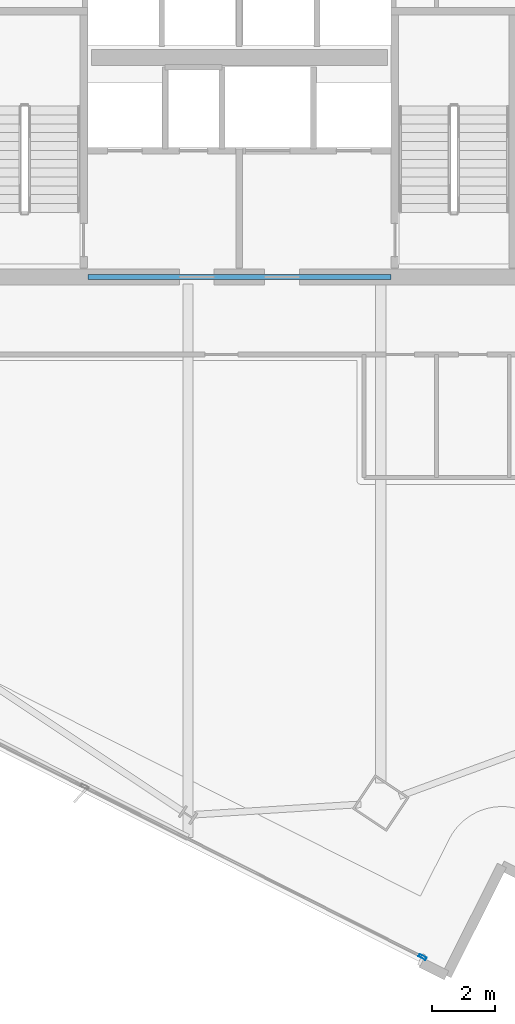
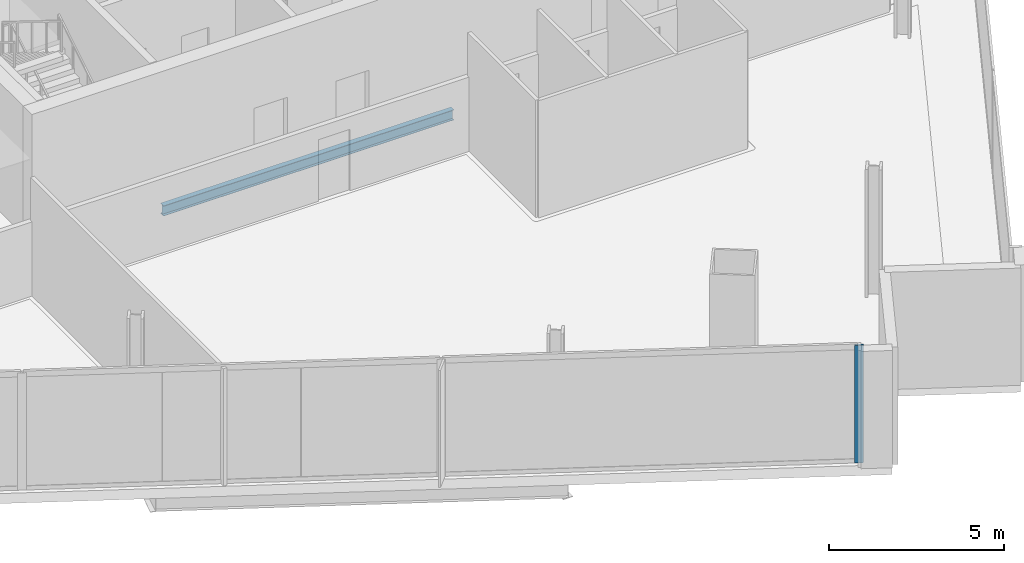
# One storey, part 7 of 27: 1 beam, 1 member, 1 element without a shape of its own.
"""IFC4 building model written with IfcOpenShell, lengths in metres."""

from ifc_helpers import new_model, si_unit, direction, frame, origin, origin_2d, place, context, subcontext, project, spatial, hollow_rectangle, i_section, extrude, material, material_profile, profile_set, type_object, element, aggregate, save


model = new_model("IFC4")

# Units and contexts
model_context = context("Model", 3, precision=1e-05, world=origin(), true_north=direction((0.0, 1.0)))
body_context = subcontext(model_context, "Body", "Model", "MODEL_VIEW")
ifc_project = project(units=[si_unit("LENGTHUNIT", "METRE"), si_unit("AREAUNIT", "SQUARE_METRE"), si_unit("VOLUMEUNIT", "CUBIC_METRE"), si_unit("PLANEANGLEUNIT", "RADIAN"), si_unit("MASSUNIT", "GRAM", prefix="KILO")], contexts=[model_context])

# Site, building, storey
site_placement = place(None, origin())
site = spatial("IfcSite", under=ifc_project, at=site_placement, CompositionType="ELEMENT")
building_placement = place(site_placement, origin())
building = spatial("IfcBuilding", under=site, at=building_placement, Name="Haldenkirk Collegiate Tower", CompositionType="ELEMENT")
storey_placement = place(building_placement, frame((0.0, 0.0, 239.699951171875)))
storey = spatial("IfcBuildingStorey", under=building, at=storey_placement, Name="L60", CompositionType="ELEMENT", Elevation=239.699951171875)

# Beam
ifc_material_1 = material(Name="Steel ASTM A992 Grade 50", Category="steel")
ifc_material_profile_1 = material_profile(ifc_material_1, i_section(OverallWidth=0.1708984375, OverallDepth=0.35595703125, WebThickness=0.007080078125, FlangeThickness=0.01171875, at=origin_2d()), Name="W14X34")
ifc_profile_set_1 = profile_set([ifc_material_profile_1], Name="Steel ASTM A992 Grade 50")
beam_type = type_object("IfcBeamType", Name="BM-LINTEL-W14X34", PredefinedType="LINTEL", material=ifc_profile_set_1)
beam_placement = place(storey_placement, frame((31.199951171875, 18.0, -0.52783203125), z_axis=(1.0, 0.0, 0.0), x_axis=(0.0, 1.0, 0.0)))
element("IfcBeam", 1, at=beam_placement, inside=storey, type_object=beam_type, Name="L60 south core coupling lintel", PredefinedType="LINTEL", context=body_context, shape_type="SweptSolid", body=[
    extrude(i_section(OverallWidth=0.1708984375, OverallDepth=0.35595703125, WebThickness=0.007080078125, FlangeThickness=0.01171875, at=origin_2d()), origin(), (0.0, 0.0, 1.0), 9.60009765625),
])

# Curtain wall, member
ifc_material_2 = material(Name="Anodised architectural bronze aluminium", Category="aluminium")
curtain_wall_type = type_object("IfcCurtainWallType", Name="CW-SYS1B-CONVEX-HI", PredefinedType="USERDEFINED", material=ifc_material_2)
curtain_wall_placement = place(storey_placement, origin())
curtain_wall = element("IfcCurtainWall", 2, at=curtain_wall_placement, inside=storey, type_object=curtain_wall_type, Name="L60 Upper tower high-wind convex bronze unitised curtain wall", ObjectType="UNITISED CURTAIN WALL", PredefinedType="USERDEFINED")
ifc_material_profile_2 = material_profile(ifc_material_2, hollow_rectangle(XDim=0.0849609375, YDim=0.25, WallThickness=0.0048828125, at=origin_2d()), Name="CW-MUL-1B")
ifc_profile_set_2 = profile_set([ifc_material_profile_2], Name="Anodised architectural bronze aluminium")
member_type = type_object("IfcMemberType", Name="CW-MUL-1B", PredefinedType="MULLION", material=ifc_profile_set_2)
member_placement = place(storey_placement, frame((41.8056640625, -3.545166015625, 0.0), z_axis=(0.0, 0.0, 1.0), x_axis=(-0.450098584579, -0.89297887106, 0.0)))
member = element("IfcMember", 3, at=member_placement, type_object=member_type, Name="CW-1B mullion 1", PredefinedType="MULLION", context=body_context, shape_type="SweptSolid", body=[
    extrude(hollow_rectangle(XDim=0.0849609375, YDim=0.25, WallThickness=0.0048828125, at=origin_2d()), origin(), (0.0, 0.0, 1.0), 4.10009765625),
])
aggregate(curtain_wall, [member])

save(model, "model.ifc")
